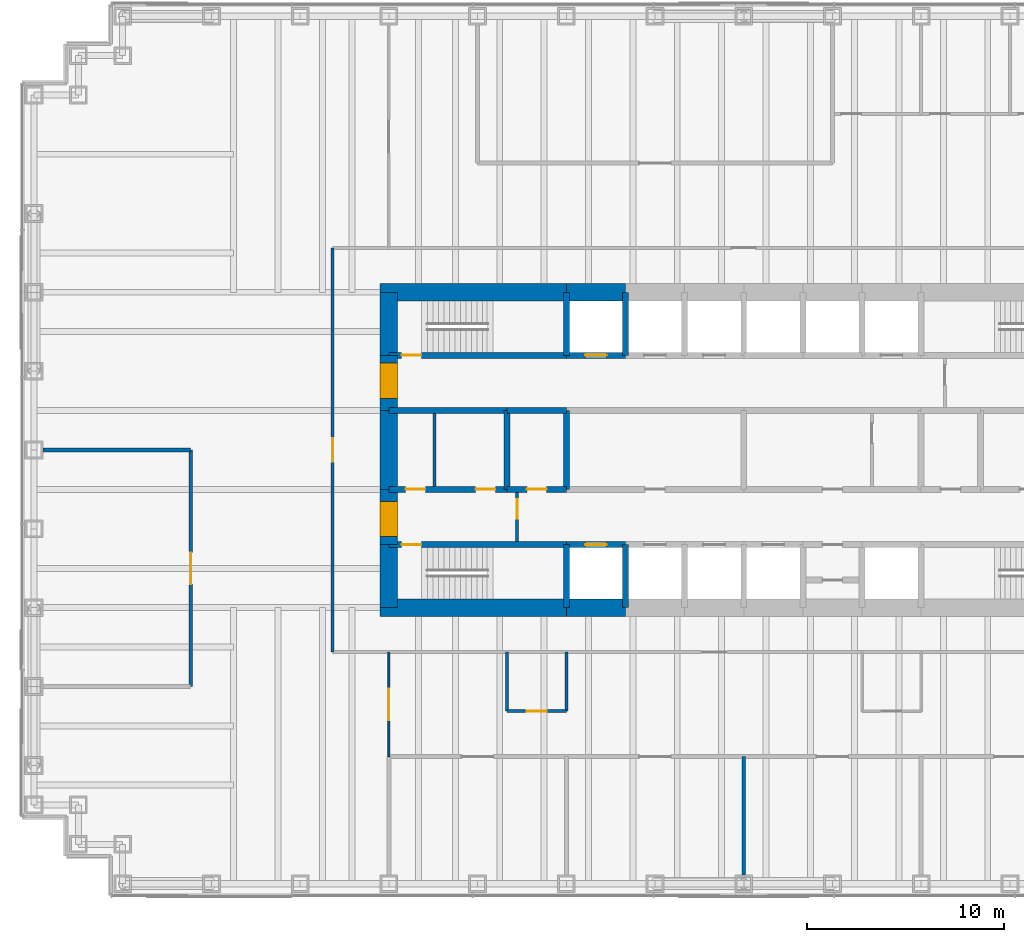
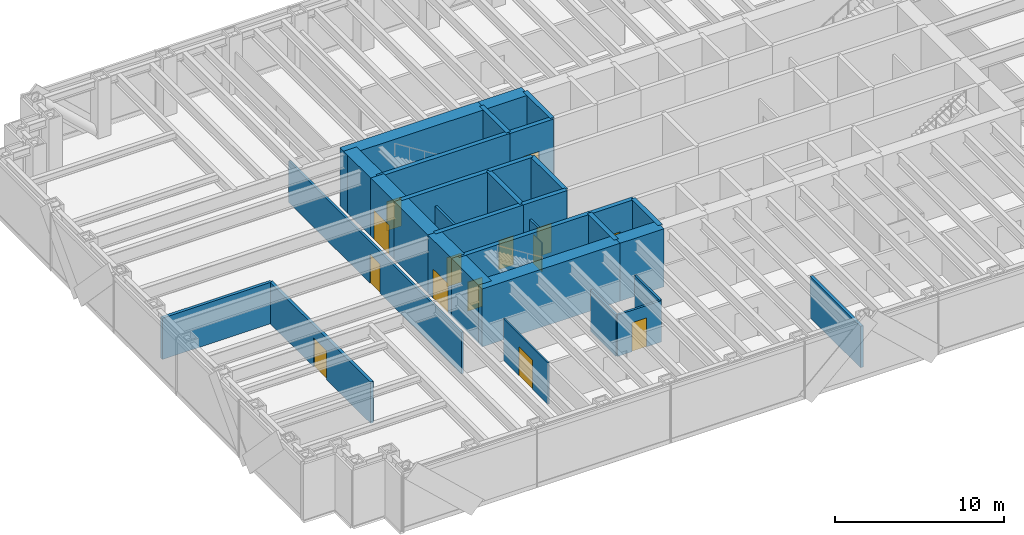
# One storey, part 11 of 15: 33 walls, 14 doors, 14 openings.
"""IFC4 building model written with IfcOpenShell, lengths in metres."""

from ifc_helpers import new_model, si_unit, direction, frame, frame_2d, origin, place, context, subcontext, project, spatial, rectangle, extrude, material, layer, layer_set, type_object, element, fill, save


model = new_model("IFC4")

# Units and contexts
model_context = context("Model", 3, precision=1e-05, world=origin(), true_north=direction((0.0, 1.0)))
body_context = subcontext(model_context, "Body", "Model", "MODEL_VIEW")
ifc_project = project(units=[si_unit("LENGTHUNIT", "METRE"), si_unit("AREAUNIT", "SQUARE_METRE"), si_unit("VOLUMEUNIT", "CUBIC_METRE"), si_unit("PLANEANGLEUNIT", "RADIAN"), si_unit("MASSUNIT", "GRAM", prefix="KILO")], contexts=[model_context])

# Site, building, storey
site_placement = place(None, origin())
site = spatial("IfcSite", under=ifc_project, at=site_placement, CompositionType="ELEMENT")
building_placement = place(site_placement, origin())
building = spatial("IfcBuilding", under=site, at=building_placement, Name="Rheinbord Bourse Tower", CompositionType="ELEMENT")
storey_placement = place(building_placement, frame((0.0, 0.0, 150.89990234375)))
storey = spatial("IfcBuildingStorey", under=building, at=storey_placement, Name="L33", CompositionType="ELEMENT", Elevation=150.89990234375)

# Wall
ifc_material_1 = material(Name="Acoustic gypsum board partition", Category="gypsum board")
ifc_layer_1 = layer(ifc_material_1, 0.199951171875)
ifc_layer_set_1 = layer_set([ifc_layer_1], Name="ACOUSTIC PARTITION 200")
wall_type_1 = type_object("IfcWallType", Name="ACOUSTIC PARTITION 200", PredefinedType="PARTITIONING", material=ifc_layer_set_1)
wall_1_placement = place(storey_placement, frame((0.449951171875, 24.0, 0.0), z_axis=(0.0, 0.0, 1.0), x_axis=(1.0, 0.0, 0.0)))
element("IfcWall", 1, at=wall_1_placement, inside=storey, type_object=wall_type_1, Name="Partition L33-07", PredefinedType="PARTITIONING", context=body_context, shape_type="SweptSolid", body=[
    extrude(rectangle(XDim=7.5, YDim=0.199951171875, at=frame_2d((3.75, 0.0))), origin(), (0.0, 0.0, 1.0), 3.0),
])

# Wall, opening, door
wall_2_placement = place(storey_placement, frame((7.949951171875, 12.0, 0.0), z_axis=(0.0, 0.0, 1.0), x_axis=(0.0, 1.0, 0.0)))
wall_2 = element("IfcWall", 2, at=wall_2_placement, inside=storey, type_object=wall_type_1, Name="Partition L33-14", PredefinedType="PARTITIONING", context=body_context, shape_type="SweptSolid", body=[
    extrude(rectangle(XDim=12.0, YDim=0.199951171875, at=frame_2d((6.0, 0.0))), origin(), (0.0, 0.0, 1.0), 3.0),
])
opening_1_placement = place(wall_2_placement, frame((5.199951171875, 0.0, 0.0)))
opening_1 = element("IfcOpeningElement", 3, at=opening_1_placement, cuts=wall_2, Name="Opening 33D07", PredefinedType="OPENING", context=body_context, shape_type="SweptSolid", body=[
    extrude(rectangle(XDim=1.60009765625, YDim=2.10009765625, at=frame_2d((0.800048828125, 1.050048828125))), frame((0.0, 0.10986328125, 0.0), z_axis=(0.0, -1.0, 0.0), x_axis=(1.0, 0.0, 0.0)), (0.0, 0.0, 1.0), 0.219970703125),
])
ifc_material_2 = material(Name="Timber door", Category="wood")
door_type_1 = type_object("IfcDoorType", Name="DOUBLE ROOM DOOR 1600", OperationType="DOUBLE_DOOR_DOUBLE_SWING", PredefinedType="DOOR", material=ifc_material_2)
door_1_placement = place(opening_1_placement, origin())
door_1 = element("IfcDoor", 4, at=door_1_placement, inside=storey, type_object=door_type_1, Name="Seminar room door L33", OperationType="SINGLE_SWING_LEFT", OverallHeight=2.10009765625, OverallWidth=1.60009765625, PredefinedType="DOOR", context=body_context, shape_type="SweptSolid", body=[
    extrude(rectangle(XDim=1.60009765625, YDim=2.10009765625, at=frame_2d((0.800048828125, 1.050048828125))), frame((0.0, 0.02490234375, 0.0), z_axis=(0.0, -1.0, 0.0), x_axis=(1.0, 0.0, 0.0)), (0.0, 0.0, 1.0), 0.050048828125),
])
fill(opening_1, door_1)

# Wall
wall_3_placement = place(storey_placement, frame((36.0, 2.449951171875, 0.0), z_axis=(0.0, 0.0, 1.0), x_axis=(0.0, 1.0, 0.0)))
element("IfcWall", 5, at=wall_3_placement, inside=storey, type_object=wall_type_1, Name="Partition L33-23", PredefinedType="PARTITIONING", context=body_context, shape_type="SweptSolid", body=[
    extrude(rectangle(XDim=6.0, YDim=0.199951171875, at=frame_2d((3.0, 0.0))), origin(), (0.0, 0.0, 1.0), 3.0),
])

# Wall, opening, door
ifc_material_3 = material(Name="Concrete C50/60", Category="concrete")
ifc_layer_2 = layer(ifc_material_3, 0.300048828125)
ifc_layer_set_2 = layer_set([ifc_layer_2], Name="CORE INNER WALL 300")
wall_type_2 = type_object("IfcWallType", Name="CORE INNER WALL 300", PredefinedType="SOLIDWALL", material=ifc_layer_set_2)
wall_4_placement = place(storey_placement, frame((18.0, 19.199951171875, 0.0), z_axis=(0.0, 0.0, 1.0), x_axis=(1.0, 0.0, 0.0)))
wall_4 = element("IfcWall", 6, at=wall_4_placement, inside=storey, type_object=wall_type_2, Name="Core wall A1 L33", PredefinedType="SOLIDWALL", context=body_context, shape_type="SweptSolid", body=[
    extrude(rectangle(XDim=9.0, YDim=0.300048828125, at=frame_2d((4.5, 0.0))), origin(), (0.0, 0.0, 1.0), 4.2001953125),
])
opening_2_placement = place(wall_4_placement, frame((0.64990234375, 0.0, 0.0)))
opening_2 = element("IfcOpeningElement", 7, at=opening_2_placement, cuts=wall_4, Name="Opening 3310", PredefinedType="OPENING", context=body_context, shape_type="SweptSolid", body=[
    extrude(rectangle(XDim=1.0, YDim=2.10009765625, at=frame_2d((0.5, 1.050048828125))), frame((0.0, 0.159912109375, 0.0), z_axis=(0.0, -1.0, 0.0), x_axis=(1.0, 0.0, 0.0)), (0.0, 0.0, 1.0), 0.320068359375),
])
ifc_material_4 = material(Name="Steel door", Category="steel")
door_type_2 = type_object("IfcDoorType", Name="DOOR 1000 EI30", OperationType="SINGLE_SWING_LEFT", PredefinedType="DOOR", material=ifc_material_4)
door_2_placement = place(opening_2_placement, origin())
door_2 = element("IfcDoor", 8, at=door_2_placement, inside=storey, type_object=door_type_2, Name="Stair door ST1 L33", OperationType="SINGLE_SWING_LEFT", OverallHeight=2.10009765625, OverallWidth=1.0, PredefinedType="DOOR", context=body_context, shape_type="SweptSolid", body=[
    extrude(rectangle(XDim=1.0, YDim=2.10009765625, at=frame_2d((0.5, 1.050048828125))), frame((0.0, 0.02490234375, 0.0), z_axis=(0.0, -1.0, 0.0), x_axis=(1.0, 0.0, 0.0)), (0.0, 0.0, 1.0), 0.050048828125),
])
fill(opening_2, door_2)

wall_5_placement = place(storey_placement, frame((27.0, 19.199951171875, 0.0), z_axis=(0.0, 0.0, 1.0), x_axis=(1.0, 0.0, 0.0)))
wall_5 = element("IfcWall", 9, at=wall_5_placement, inside=storey, type_object=wall_type_2, Name="Core wall A2 L33", PredefinedType="SOLIDWALL", context=body_context, shape_type="SweptSolid", body=[
    extrude(rectangle(XDim=3.0, YDim=0.300048828125, at=frame_2d((1.5, 0.0))), origin(), (0.0, 0.0, 1.0), 4.2001953125),
])
opening_3_placement = place(wall_5_placement, frame((0.949951171875, 0.0, 0.0)))
opening_3 = element("IfcOpeningElement", 10, at=opening_3_placement, cuts=wall_5, Name="Opening FL1", PredefinedType="OPENING", context=body_context, shape_type="SweptSolid", body=[
    extrude(rectangle(XDim=1.10009765625, YDim=2.199951171875, at=frame_2d((0.550048828125, 1.10009765625))), frame((0.0, 0.159912109375, 0.0), z_axis=(0.0, -1.0, 0.0), x_axis=(1.0, 0.0, 0.0)), (0.0, 0.0, 1.0), 0.320068359375),
])
ifc_material_5 = material(Name="Steel landing door", Category="steel")
door_type_3 = type_object("IfcDoorType", Name="LIFT LANDING DOOR 1100", OperationType="DOUBLE_DOOR_SLIDING", PredefinedType="USERDEFINED", material=ifc_material_5)
door_3_placement = place(opening_3_placement, origin())
door_3 = element("IfcDoor", 11, at=door_3_placement, inside=storey, type_object=door_type_3, Name="Lift landing door FL1 L33", ObjectType="LIFT LANDING DOOR", OperationType="DOUBLE_DOOR_SLIDING", OverallHeight=2.199951171875, OverallWidth=1.10009765625, PredefinedType="USERDEFINED", context=body_context, shape_type="SweptSolid", body=[
    extrude(rectangle(XDim=1.10009765625, YDim=2.199951171875, at=frame_2d((0.550048828125, 1.10009765625))), frame((0.0, 0.02490234375, 0.0), z_axis=(0.0, -1.0, 0.0), x_axis=(1.0, 0.0, 0.0)), (0.0, 0.0, 1.0), 0.050048828125),
])
fill(opening_3, door_3)

wall_6_placement = place(storey_placement, frame((18.0, 28.800048828125, 0.0), z_axis=(0.0, 0.0, 1.0), x_axis=(1.0, 0.0, 0.0)))
wall_6 = element("IfcWall", 12, at=wall_6_placement, inside=storey, type_object=wall_type_2, Name="Core wall B1 L33", PredefinedType="SOLIDWALL", context=body_context, shape_type="SweptSolid", body=[
    extrude(rectangle(XDim=9.0, YDim=0.300048828125, at=frame_2d((4.5, 0.0))), origin(), (0.0, 0.0, 1.0), 4.2001953125),
])
opening_4_placement = place(wall_6_placement, frame((0.64990234375, 0.0, 0.0)))
opening_4 = element("IfcOpeningElement", 13, at=opening_4_placement, cuts=wall_6, Name="Opening 3320", PredefinedType="OPENING", context=body_context, shape_type="SweptSolid", body=[
    extrude(rectangle(XDim=1.0, YDim=2.10009765625, at=frame_2d((0.5, 1.050048828125))), frame((0.0, 0.159912109375, 0.0), z_axis=(0.0, -1.0, 0.0), x_axis=(1.0, 0.0, 0.0)), (0.0, 0.0, 1.0), 0.320068359375),
])
door_4_placement = place(opening_4_placement, origin())
door_4 = element("IfcDoor", 14, at=door_4_placement, inside=storey, type_object=door_type_2, Name="Stair door ST2 L33", OperationType="SINGLE_SWING_LEFT", OverallHeight=2.10009765625, OverallWidth=1.0, PredefinedType="DOOR", context=body_context, shape_type="SweptSolid", body=[
    extrude(rectangle(XDim=1.0, YDim=2.10009765625, at=frame_2d((0.5, 1.050048828125))), frame((0.0, 0.02490234375, 0.0), z_axis=(0.0, -1.0, 0.0), x_axis=(1.0, 0.0, 0.0)), (0.0, 0.0, 1.0), 0.050048828125),
])
fill(opening_4, door_4)

wall_7_placement = place(storey_placement, frame((27.0, 28.800048828125, 0.0), z_axis=(0.0, 0.0, 1.0), x_axis=(1.0, 0.0, 0.0)))
wall_7 = element("IfcWall", 15, at=wall_7_placement, inside=storey, type_object=wall_type_2, Name="Core wall B2 L33", PredefinedType="SOLIDWALL", context=body_context, shape_type="SweptSolid", body=[
    extrude(rectangle(XDim=3.0, YDim=0.300048828125, at=frame_2d((1.5, 0.0))), origin(), (0.0, 0.0, 1.0), 4.2001953125),
])
opening_5_placement = place(wall_7_placement, frame((0.949951171875, 0.0, 0.0)))
opening_5 = element("IfcOpeningElement", 16, at=opening_5_placement, cuts=wall_7, Name="Opening GL1", PredefinedType="OPENING", context=body_context, shape_type="SweptSolid", body=[
    extrude(rectangle(XDim=1.10009765625, YDim=2.199951171875, at=frame_2d((0.550048828125, 1.10009765625))), frame((0.0, 0.159912109375, 0.0), z_axis=(0.0, -1.0, 0.0), x_axis=(1.0, 0.0, 0.0)), (0.0, 0.0, 1.0), 0.320068359375),
])
door_5_placement = place(opening_5_placement, origin())
door_5 = element("IfcDoor", 17, at=door_5_placement, inside=storey, type_object=door_type_3, Name="Lift landing door GL1 L33", ObjectType="LIFT LANDING DOOR", OperationType="DOUBLE_DOOR_SLIDING", OverallHeight=2.199951171875, OverallWidth=1.10009765625, PredefinedType="USERDEFINED", context=body_context, shape_type="SweptSolid", body=[
    extrude(rectangle(XDim=1.10009765625, YDim=2.199951171875, at=frame_2d((0.550048828125, 1.10009765625))), frame((0.0, 0.02490234375, 0.0), z_axis=(0.0, -1.0, 0.0), x_axis=(1.0, 0.0, 0.0)), (0.0, 0.0, 1.0), 0.050048828125),
])
fill(opening_5, door_5)

# Wall, openings, doors
wall_8_placement = place(storey_placement, frame((18.0, 22.0, 0.0), z_axis=(0.0, 0.0, 1.0), x_axis=(1.0, 0.0, 0.0)))
wall_8 = element("IfcWall", 18, at=wall_8_placement, inside=storey, type_object=wall_type_2, Name="Core wall C1 L33", PredefinedType="SOLIDWALL", context=body_context, shape_type="SweptSolid", body=[
    extrude(rectangle(XDim=6.0, YDim=0.300048828125, at=frame_2d((3.0, 0.0))), origin(), (0.0, 0.0, 1.0), 4.2001953125),
])
opening_6_placement = place(wall_8_placement, frame((4.39990234375, 0.0, 0.0)))
opening_6 = element("IfcOpeningElement", 19, at=opening_6_placement, cuts=wall_8, Name="Opening 33R1", PredefinedType="OPENING", context=body_context, shape_type="SweptSolid", body=[
    extrude(rectangle(XDim=1.0, YDim=2.10009765625, at=frame_2d((0.5, 1.050048828125))), frame((0.0, 0.159912109375, 0.0), z_axis=(0.0, -1.0, 0.0), x_axis=(1.0, 0.0, 0.0)), (0.0, 0.0, 1.0), 0.320068359375),
])
opening_7_placement = place(wall_8_placement, frame((0.85009765625, 0.0, 0.0)))
opening_7 = element("IfcOpeningElement", 20, at=opening_7_placement, cuts=wall_8, Name="Opening 33R9", PredefinedType="OPENING", context=body_context, shape_type="SweptSolid", body=[
    extrude(rectangle(XDim=1.0, YDim=2.10009765625, at=frame_2d((0.5, 1.050048828125))), frame((0.0, 0.159912109375, 0.0), z_axis=(0.0, -1.0, 0.0), x_axis=(1.0, 0.0, 0.0)), (0.0, 0.0, 1.0), 0.320068359375),
])
door_6_placement = place(opening_7_placement, origin())
door_6 = element("IfcDoor", 21, at=door_6_placement, inside=storey, type_object=door_type_2, Name="Staff shower door L33", OperationType="SINGLE_SWING_LEFT", OverallHeight=2.10009765625, OverallWidth=1.0, PredefinedType="DOOR", context=body_context, shape_type="SweptSolid", body=[
    extrude(rectangle(XDim=1.0, YDim=2.10009765625, at=frame_2d((0.5, 1.050048828125))), frame((0.0, 0.02490234375, 0.0), z_axis=(0.0, -1.0, 0.0), x_axis=(1.0, 0.0, 0.0)), (0.0, 0.0, 1.0), 0.050048828125),
])
fill(opening_7, door_6)
ifc_material_6 = material(Name="Timber door", Category="wood")
door_type_4 = type_object("IfcDoorType", Name="DOOR 1000 WC", OperationType="SINGLE_SWING_LEFT", PredefinedType="DOOR", material=ifc_material_6)
door_7_placement = place(opening_6_placement, origin())
door_7 = element("IfcDoor", 22, at=door_7_placement, inside=storey, type_object=door_type_4, Name="WC men door L33", OperationType="SINGLE_SWING_RIGHT", OverallHeight=2.10009765625, OverallWidth=1.0, PredefinedType="DOOR", context=body_context, shape_type="SweptSolid", body=[
    extrude(rectangle(XDim=1.0, YDim=2.10009765625, at=frame_2d((0.5, 1.050048828125))), frame((0.0, 0.02490234375, 0.0), z_axis=(0.0, -1.0, 0.0), x_axis=(1.0, 0.0, 0.0)), (0.0, 0.0, 1.0), 0.050048828125),
])
fill(opening_6, door_7)

# Wall, opening, door
wall_9_placement = place(storey_placement, frame((24.0, 22.0, 0.0), z_axis=(0.0, 0.0, 1.0), x_axis=(1.0, 0.0, 0.0)))
wall_9 = element("IfcWall", 23, at=wall_9_placement, inside=storey, type_object=wall_type_2, Name="Core wall C2 L33", PredefinedType="SOLIDWALL", context=body_context, shape_type="SweptSolid", body=[
    extrude(rectangle(XDim=3.0, YDim=0.300048828125, at=frame_2d((1.5, 0.0))), origin(), (0.0, 0.0, 1.0), 4.2001953125),
])
opening_8_placement = place(wall_9_placement, frame((1.0, 0.0, 0.0)))
opening_8 = element("IfcOpeningElement", 24, at=opening_8_placement, cuts=wall_9, Name="Opening 33R2", PredefinedType="OPENING", context=body_context, shape_type="SweptSolid", body=[
    extrude(rectangle(XDim=1.0, YDim=2.10009765625, at=frame_2d((0.5, 1.050048828125))), frame((0.0, 0.159912109375, 0.0), z_axis=(0.0, -1.0, 0.0), x_axis=(1.0, 0.0, 0.0)), (0.0, 0.0, 1.0), 0.320068359375),
])
door_8_placement = place(opening_8_placement, origin())
door_8 = element("IfcDoor", 25, at=door_8_placement, inside=storey, type_object=door_type_4, Name="Accessible WC door L33", OperationType="SINGLE_SWING_LEFT", OverallHeight=2.10009765625, OverallWidth=1.0, PredefinedType="DOOR", context=body_context, shape_type="SweptSolid", body=[
    extrude(rectangle(XDim=1.0, YDim=2.10009765625, at=frame_2d((0.5, 1.050048828125))), frame((0.0, 0.02490234375, 0.0), z_axis=(0.0, -1.0, 0.0), x_axis=(1.0, 0.0, 0.0)), (0.0, 0.0, 1.0), 0.050048828125),
])
fill(opening_8, door_8)

# Walls
wall_10_placement = place(storey_placement, frame((18.0, 26.0, 0.0), z_axis=(0.0, 0.0, 1.0), x_axis=(1.0, 0.0, 0.0)))
element("IfcWall", 26, at=wall_10_placement, inside=storey, type_object=wall_type_2, Name="Core wall D1 L33", PredefinedType="SOLIDWALL", context=body_context, shape_type="SweptSolid", body=[
    extrude(rectangle(XDim=6.0, YDim=0.300048828125, at=frame_2d((3.0, 0.0))), origin(), (0.0, 0.0, 1.0), 4.2001953125),
])
wall_11_placement = place(storey_placement, frame((24.0, 26.0, 0.0), z_axis=(0.0, 0.0, 1.0), x_axis=(1.0, 0.0, 0.0)))
element("IfcWall", 27, at=wall_11_placement, inside=storey, type_object=wall_type_2, Name="Core wall D2 L33", PredefinedType="SOLIDWALL", context=body_context, shape_type="SweptSolid", body=[
    extrude(rectangle(XDim=3.0, YDim=0.300048828125, at=frame_2d((1.5, 0.0))), origin(), (0.0, 0.0, 1.0), 4.2001953125),
])
for number, where, z_axis, x_axis, name in (
    (28, (27.0, 16.0, 0.0), (0.0, 0.0, 1.0), (0.0, 1.0, 0.0), "Core wall SX27 L33"),
    (29, (27.0, 28.800048828125, 0.0), (0.0, 0.0, 1.0), (0.0, 1.0, 0.0), "Core wall NX27 L33"),
    (30, (30.0, 16.0, 0.0), (0.0, 0.0, 1.0), (0.0, 1.0, 0.0), "Core wall SX30 L33"),
    (31, (30.0, 28.800048828125, 0.0), (0.0, 0.0, 1.0), (0.0, 1.0, 0.0), "Core wall NX30 L33"),
):
    element("IfcWall", number, at=place(storey_placement, frame(where, z_axis=z_axis, x_axis=x_axis)), inside=storey, type_object=wall_type_2, Name=name, PredefinedType="SOLIDWALL", context=body_context, shape_type="SweptSolid", body=[
        extrude(rectangle(XDim=3.199951171875, YDim=0.300048828125, at=frame_2d((1.60009765625, 0.0))), origin(), (0.0, 0.0, 1.0), 4.2001953125),
    ])
for number, where, z_axis, x_axis, name in (
    (32, (24.0, 22.0, 0.0), (0.0, 0.0, 1.0), (0.0, 1.0, 0.0), "Core wall MX24 L33"),
    (33, (27.0, 22.0, 0.0), (0.0, 0.0, 1.0), (0.0, 1.0, 0.0), "Core wall MX27 L33"),
):
    element("IfcWall", number, at=place(storey_placement, frame(where, z_axis=z_axis, x_axis=x_axis)), inside=storey, type_object=wall_type_2, Name=name, PredefinedType="SOLIDWALL", context=body_context, shape_type="SweptSolid", body=[
        extrude(rectangle(XDim=4.0, YDim=0.300048828125, at=frame_2d((2.0, 0.0))), origin(), (0.0, 0.0, 1.0), 4.2001953125),
    ])
ifc_material_7 = material(Name="Gypsum board fire partition", Category="gypsum board")
ifc_layer_3 = layer(ifc_material_7, 0.14990234375)
ifc_layer_set_3 = layer_set([ifc_layer_3], Name="CORE PARTITION 150 EI30")
wall_type_3 = type_object("IfcWallType", Name="CORE PARTITION 150 EI30", PredefinedType="PARTITIONING", material=ifc_layer_set_3)
wall_12_placement = place(storey_placement, frame((20.324951171875, 22.14990234375, 0.0), z_axis=(0.0, 0.0, 1.0), x_axis=(0.0, 1.0, 0.0)))
element("IfcWall", 34, at=wall_12_placement, inside=storey, type_object=wall_type_3, Name="Core partition L33-2", PredefinedType="PARTITIONING", context=body_context, shape_type="SweptSolid", body=[
    extrude(rectangle(XDim=3.7001953125, YDim=0.14990234375, at=frame_2d((1.85009765625, 0.0))), origin(), (0.0, 0.0, 1.0), 3.0),
])

# Wall, opening, door
wall_13_placement = place(storey_placement, frame((24.5, 19.35009765625, 0.0), z_axis=(0.0, 0.0, 1.0), x_axis=(0.0, 1.0, 0.0)))
wall_13 = element("IfcWall", 35, at=wall_13_placement, inside=storey, type_object=wall_type_3, Name="Core partition L33-4", PredefinedType="PARTITIONING", context=body_context, shape_type="SweptSolid", body=[
    extrude(rectangle(XDim=2.5, YDim=0.14990234375, at=frame_2d((1.25, 0.0))), origin(), (0.0, 0.0, 1.0), 3.0),
])
opening_9_placement = place(wall_13_placement, frame((1.14990234375, 0.0, 0.0)))
opening_9 = element("IfcOpeningElement", 36, at=opening_9_placement, cuts=wall_13, Name="Opening 33L5", PredefinedType="OPENING", context=body_context, shape_type="SweptSolid", body=[
    extrude(rectangle(XDim=1.0, YDim=2.10009765625, at=frame_2d((0.5, 1.050048828125))), frame((0.0, 0.0849609375, 0.0), z_axis=(0.0, -1.0, 0.0), x_axis=(1.0, 0.0, 0.0)), (0.0, 0.0, 1.0), 0.169921875),
])
door_9_placement = place(opening_9_placement, origin())
door_9 = element("IfcDoor", 37, at=door_9_placement, inside=storey, type_object=door_type_2, Name="Stair lobby door L33", OperationType="SINGLE_SWING_RIGHT", OverallHeight=2.10009765625, OverallWidth=1.0, PredefinedType="DOOR", context=body_context, shape_type="SweptSolid", body=[
    extrude(rectangle(XDim=1.0, YDim=2.10009765625, at=frame_2d((0.5, 1.050048828125))), frame((0.0, 0.02490234375, 0.0), z_axis=(0.0, -1.0, 0.0), x_axis=(1.0, 0.0, 0.0)), (0.0, 0.0, 1.0), 0.050048828125),
])
fill(opening_9, door_9)

# Walls
ifc_material_8 = material(Name="Concrete C50/60", Category="concrete")
ifc_layer_4 = layer(ifc_material_8, 0.89990234375)
ifc_layer_set_4 = layer_set([ifc_layer_4], Name="CORE WALL 900")
wall_type_4 = type_object("IfcWallType", Name="CORE WALL 900", PredefinedType="SHEAR", material=ifc_layer_set_4)
wall_14_placement = place(storey_placement, frame((17.550048828125, 16.0, 0.0), z_axis=(0.0, 0.0, 1.0), x_axis=(1.0, 0.0, 0.0)))
element("IfcWall", 38, at=wall_14_placement, inside=storey, type_object=wall_type_4, Name="Core wall S1 L33", PredefinedType="SHEAR", context=body_context, shape_type="SweptSolid", body=[
    extrude(rectangle(XDim=9.449951171875, YDim=0.89990234375, at=frame_2d((4.72509765625, 0.0))), origin(), (0.0, 0.0, 1.0), 4.2001953125),
])
for number, where, z_axis, x_axis, name in (
    (39, (27.0, 16.0, 0.0), (0.0, 0.0, 1.0), (1.0, 0.0, 0.0), "Core wall S2 L33"),
    (40, (30.0, 32.0, 0.0), (0.0, 0.0, 1.0), (-1.0, 0.0, 0.0), "Core wall N7 L33"),
):
    element("IfcWall", number, at=place(storey_placement, frame(where, z_axis=z_axis, x_axis=x_axis)), inside=storey, type_object=wall_type_4, Name=name, PredefinedType="SHEAR", context=body_context, shape_type="SweptSolid", body=[
        extrude(rectangle(XDim=3.0, YDim=0.89990234375, at=frame_2d((1.5, 0.0))), origin(), (0.0, 0.0, 1.0), 4.2001953125),
    ])
wall_15_placement = place(storey_placement, frame((27.0, 32.0, 0.0), z_axis=(0.0, 0.0, 1.0), x_axis=(-1.0, 0.0, 0.0)))
element("IfcWall", 41, at=wall_15_placement, inside=storey, type_object=wall_type_4, Name="Core wall N8 L33", PredefinedType="SHEAR", context=body_context, shape_type="SweptSolid", body=[
    extrude(rectangle(XDim=9.449951171875, YDim=0.89990234375, at=frame_2d((4.72509765625, 0.0))), origin(), (0.0, 0.0, 1.0), 4.2001953125),
])
wall_16_placement = place(storey_placement, frame((18.0, 32.0, 0.0), z_axis=(0.0, 0.0, 1.0), x_axis=(0.0, -1.0, 0.0)))
element("IfcWall", 42, at=wall_16_placement, inside=storey, type_object=wall_type_4, Name="Core wall W1 L33", PredefinedType="SHEAR", context=body_context, shape_type="SweptSolid", body=[
    extrude(rectangle(XDim=3.199951171875, YDim=0.89990234375, at=frame_2d((1.60009765625, 0.0))), origin(), (0.0, 0.0, 1.0), 4.2001953125),
])

# Wall, opening, door
wall_17_placement = place(storey_placement, frame((18.0, 28.800048828125, 0.0), z_axis=(0.0, 0.0, 1.0), x_axis=(0.0, -1.0, 0.0)))
wall_17 = element("IfcWall", 43, at=wall_17_placement, inside=storey, type_object=wall_type_4, Name="Core wall W2 L33", PredefinedType="SHEAR", context=body_context, shape_type="SweptSolid", body=[
    extrude(rectangle(XDim=2.800048828125, YDim=0.89990234375, at=frame_2d((1.39990234375, 0.0))), origin(), (0.0, 0.0, 1.0), 4.2001953125),
])
opening_10_placement = place(wall_17_placement, frame((0.39990234375, 0.0, 0.0)))
opening_10 = element("IfcOpeningElement", 44, at=opening_10_placement, cuts=wall_17, Name="Opening 33L2", PredefinedType="OPENING", context=body_context, shape_type="SweptSolid", body=[
    extrude(rectangle(XDim=1.800048828125, YDim=2.10009765625, at=frame_2d((0.89990234375, 1.050048828125))), frame((0.0, 0.4599609375, 0.0), z_axis=(0.0, -1.0, 0.0), x_axis=(1.0, 0.0, 0.0)), (0.0, 0.0, 1.0), 0.919921875),
])
ifc_material_9 = material(Name="Steel door", Category="steel")
door_type_5 = type_object("IfcDoorType", Name="DOOR 1800 EI30 DOUBLE", OperationType="DOUBLE_DOOR_DOUBLE_SWING", PredefinedType="DOOR", material=ifc_material_9)
door_10_placement = place(opening_10_placement, origin())
door_10 = element("IfcDoor", 45, at=door_10_placement, inside=storey, type_object=door_type_5, Name="Lobby door 2 L33", OperationType="SINGLE_SWING_LEFT", OverallHeight=2.10009765625, OverallWidth=1.800048828125, PredefinedType="DOOR", context=body_context, shape_type="SweptSolid", body=[
    extrude(rectangle(XDim=1.800048828125, YDim=2.10009765625, at=frame_2d((0.89990234375, 1.050048828125))), frame((0.0, 0.44970703125, 0.0), z_axis=(0.0, -1.0, 0.0), x_axis=(1.0, 0.0, 0.0)), (0.0, 0.0, 1.0), 0.8994140625),
])
fill(opening_10, door_10)

# Wall
wall_18_placement = place(storey_placement, frame((18.0, 26.0, 0.0), z_axis=(0.0, 0.0, 1.0), x_axis=(0.0, -1.0, 0.0)))
element("IfcWall", 46, at=wall_18_placement, inside=storey, type_object=wall_type_4, Name="Core wall W3 L33", PredefinedType="SHEAR", context=body_context, shape_type="SweptSolid", body=[
    extrude(rectangle(XDim=4.0, YDim=0.89990234375, at=frame_2d((2.0, 0.0))), origin(), (0.0, 0.0, 1.0), 4.2001953125),
])

# Wall, opening, door
wall_19_placement = place(storey_placement, frame((18.0, 22.0, 0.0), z_axis=(0.0, 0.0, 1.0), x_axis=(0.0, -1.0, 0.0)))
wall_19 = element("IfcWall", 47, at=wall_19_placement, inside=storey, type_object=wall_type_4, Name="Core wall W4 L33", PredefinedType="SHEAR", context=body_context, shape_type="SweptSolid", body=[
    extrude(rectangle(XDim=2.800048828125, YDim=0.89990234375, at=frame_2d((1.39990234375, 0.0))), origin(), (0.0, 0.0, 1.0), 4.2001953125),
])
opening_11_placement = place(wall_19_placement, frame((0.60009765625, 0.0, 0.0)))
opening_11 = element("IfcOpeningElement", 48, at=opening_11_placement, cuts=wall_19, Name="Opening 33L1", PredefinedType="OPENING", context=body_context, shape_type="SweptSolid", body=[
    extrude(rectangle(XDim=1.800048828125, YDim=2.10009765625, at=frame_2d((0.89990234375, 1.050048828125))), frame((0.0, 0.4599609375, 0.0), z_axis=(0.0, -1.0, 0.0), x_axis=(1.0, 0.0, 0.0)), (0.0, 0.0, 1.0), 0.919921875),
])
door_11_placement = place(opening_11_placement, origin())
door_11 = element("IfcDoor", 49, at=door_11_placement, inside=storey, type_object=door_type_5, Name="Lobby door 1 L33", OperationType="SINGLE_SWING_LEFT", OverallHeight=2.10009765625, OverallWidth=1.800048828125, PredefinedType="DOOR", context=body_context, shape_type="SweptSolid", body=[
    extrude(rectangle(XDim=1.800048828125, YDim=2.10009765625, at=frame_2d((0.89990234375, 1.050048828125))), frame((0.0, 0.44970703125, 0.0), z_axis=(0.0, -1.0, 0.0), x_axis=(1.0, 0.0, 0.0)), (0.0, 0.0, 1.0), 0.8994140625),
])
fill(opening_11, door_11)

# Wall
wall_20_placement = place(storey_placement, frame((18.0, 19.199951171875, 0.0), z_axis=(0.0, 0.0, 1.0), x_axis=(0.0, -1.0, 0.0)))
element("IfcWall", 50, at=wall_20_placement, inside=storey, type_object=wall_type_4, Name="Core wall W5 L33", PredefinedType="SHEAR", context=body_context, shape_type="SweptSolid", body=[
    extrude(rectangle(XDim=3.199951171875, YDim=0.89990234375, at=frame_2d((1.60009765625, 0.0))), origin(), (0.0, 0.0, 1.0), 4.2001953125),
])

# Wall, opening, door
ifc_material_10 = material(Name="Gypsum board corridor partition", Category="gypsum board")
ifc_layer_5 = layer(ifc_material_10, 0.14990234375)
ifc_layer_set_5 = layer_set([ifc_layer_5], Name="CORRIDOR PARTITION 150 EI30")
wall_type_5 = type_object("IfcWallType", Name="CORRIDOR PARTITION 150 EI30", PredefinedType="PARTITIONING", material=ifc_layer_set_5)
wall_21_placement = place(storey_placement, frame((15.14990234375, 13.75, 0.0), z_axis=(0.0, 0.0, 1.0), x_axis=(0.0, 1.0, 0.0)))
wall_21 = element("IfcWall", 51, at=wall_21_placement, inside=storey, type_object=wall_type_5, Name="Partition L33-15", PredefinedType="PARTITIONING", context=body_context, shape_type="SweptSolid", body=[
    extrude(rectangle(XDim=20.5, YDim=0.14990234375, at=frame_2d((10.25, 0.0))), origin(), (0.0, 0.0, 1.0), 3.0),
])
opening_12_placement = place(wall_21_placement, frame((9.64990234375, 0.0, 0.0)))
opening_12 = element("IfcOpeningElement", 52, at=opening_12_placement, cuts=wall_21, Name="Opening 33D18", PredefinedType="OPENING", context=body_context, shape_type="SweptSolid", body=[
    extrude(rectangle(XDim=1.199951171875, YDim=2.10009765625, at=frame_2d((0.60009765625, 1.050048828125))), frame((0.0, 0.0849609375, 0.0), z_axis=(0.0, -1.0, 0.0), x_axis=(1.0, 0.0, 0.0)), (0.0, 0.0, 1.0), 0.169921875),
])
ifc_material_11 = material(Name="Timber fire door", Category="wood")
door_type_6 = type_object("IfcDoorType", Name="SUITE ENTRANCE DOOR 1200 EI30", OperationType="SINGLE_SWING_LEFT", PredefinedType="DOOR", material=ifc_material_11)
door_12_placement = place(opening_12_placement, origin())
door_12 = element("IfcDoor", 53, at=door_12_placement, inside=storey, type_object=door_type_6, Name="Suite entrance 1 door L33", OperationType="SINGLE_SWING_LEFT", OverallHeight=2.10009765625, OverallWidth=1.199951171875, PredefinedType="DOOR", context=body_context, shape_type="SweptSolid", body=[
    extrude(rectangle(XDim=1.199951171875, YDim=2.10009765625, at=frame_2d((0.60009765625, 1.050048828125))), frame((0.0, 0.02490234375, 0.0), z_axis=(0.0, -1.0, 0.0), x_axis=(1.0, 0.0, 0.0)), (0.0, 0.0, 1.0), 0.050048828125),
])
fill(opening_12, door_12)

ifc_material_12 = material(Name="Toughened laminated glass partition", Category="glass")
ifc_layer_6 = layer(ifc_material_12, 0.10009765625)
ifc_layer_set_6 = layer_set([ifc_layer_6], Name="GLAZED PARTITION 100")
wall_type_6 = type_object("IfcWallType", Name="GLAZED PARTITION 100", PredefinedType="PARTITIONING", material=ifc_layer_set_6)
wall_22_placement = place(storey_placement, frame((18.0, 8.449951171875, 0.0), z_axis=(0.0, 0.0, 1.0), x_axis=(0.0, 1.0, 0.0)))
wall_22 = element("IfcWall", 54, at=wall_22_placement, inside=storey, type_object=wall_type_6, Name="Partition L33-17", PredefinedType="PARTITIONING", context=body_context, shape_type="SweptSolid", body=[
    extrude(rectangle(XDim=5.300048828125, YDim=0.10009765625, at=frame_2d((2.64990234375, 0.0))), origin(), (0.0, 0.0, 1.0), 3.0),
])
opening_13_placement = place(wall_22_placement, frame((1.85009765625, 0.0, 0.0)))
opening_13 = element("IfcOpeningElement", 55, at=opening_13_placement, cuts=wall_22, Name="Opening 33D14", PredefinedType="OPENING", context=body_context, shape_type="SweptSolid", body=[
    extrude(rectangle(XDim=1.60009765625, YDim=2.10009765625, at=frame_2d((0.800048828125, 1.050048828125))), frame((0.0, 0.06005859375, 0.0), z_axis=(0.0, -1.0, 0.0), x_axis=(1.0, 0.0, 0.0)), (0.0, 0.0, 1.0), 0.1201171875),
])
door_13_placement = place(opening_13_placement, origin())
door_13 = element("IfcDoor", 56, at=door_13_placement, inside=storey, type_object=door_type_1, Name="Open area door L33", OperationType="SINGLE_SWING_LEFT", OverallHeight=2.10009765625, OverallWidth=1.60009765625, PredefinedType="DOOR", context=body_context, shape_type="SweptSolid", body=[
    extrude(rectangle(XDim=1.60009765625, YDim=2.10009765625, at=frame_2d((0.800048828125, 1.050048828125))), frame((0.0, 0.02490234375, 0.0), z_axis=(0.0, -1.0, 0.0), x_axis=(1.0, 0.0, 0.0)), (0.0, 0.0, 1.0), 0.050048828125),
])
fill(opening_13, door_13)

ifc_material_13 = material(Name="Gypsum board partition", Category="gypsum board")
ifc_layer_7 = layer(ifc_material_13, 0.14990234375)
ifc_layer_set_7 = layer_set([ifc_layer_7], Name="PARTITION 150")
wall_type_7 = type_object("IfcWallType", Name="PARTITION 150", PredefinedType="PARTITIONING", material=ifc_layer_set_7)
wall_23_placement = place(storey_placement, frame((24.0, 10.75, 0.0), z_axis=(0.0, 0.0, 1.0), x_axis=(1.0, 0.0, 0.0)))
wall_23 = element("IfcWall", 57, at=wall_23_placement, inside=storey, type_object=wall_type_7, Name="Partition L33-02", PredefinedType="PARTITIONING", context=body_context, shape_type="SweptSolid", body=[
    extrude(rectangle(XDim=3.0, YDim=0.14990234375, at=frame_2d((1.5, 0.0))), origin(), (0.0, 0.0, 1.0), 3.0),
])
opening_14_placement = place(wall_23_placement, frame((1.0, 0.0, 0.0)))
opening_14 = element("IfcOpeningElement", 58, at=opening_14_placement, cuts=wall_23, Name="Opening 33D05", PredefinedType="OPENING", context=body_context, shape_type="SweptSolid", body=[
    extrude(rectangle(XDim=1.0, YDim=2.10009765625, at=frame_2d((0.5, 1.050048828125))), frame((0.0, 0.0849609375, 0.0), z_axis=(0.0, -1.0, 0.0), x_axis=(1.0, 0.0, 0.0)), (0.0, 0.0, 1.0), 0.169921875),
])
ifc_material_14 = material(Name="Timber door", Category="wood")
door_type_7 = type_object("IfcDoorType", Name="ROOM DOOR 1000", OperationType="SINGLE_SWING_LEFT", PredefinedType="DOOR", material=ifc_material_14)
door_14_placement = place(opening_14_placement, origin())
door_14 = element("IfcDoor", 59, at=door_14_placement, inside=storey, type_object=door_type_7, Name="Print room door L33", OperationType="SINGLE_SWING_LEFT", OverallHeight=2.10009765625, OverallWidth=1.0, PredefinedType="DOOR", context=body_context, shape_type="SweptSolid", body=[
    extrude(rectangle(XDim=1.0, YDim=2.10009765625, at=frame_2d((0.5, 1.050048828125))), frame((0.0, 0.02490234375, 0.0), z_axis=(0.0, -1.0, 0.0), x_axis=(1.0, 0.0, 0.0)), (0.0, 0.0, 1.0), 0.050048828125),
])
fill(opening_14, door_14)

# Walls
for number, where, z_axis, x_axis, name in (
    (60, (24.0, 10.75, 0.0), (0.0, 0.0, 1.0), (0.0, 1.0, 0.0), "Partition L33-20"),
    (61, (27.0, 10.75, 0.0), (0.0, 0.0, 1.0), (0.0, 1.0, 0.0), "Partition L33-22"),
):
    element("IfcWall", number, at=place(storey_placement, frame(where, z_axis=z_axis, x_axis=x_axis)), inside=storey, type_object=wall_type_7, Name=name, PredefinedType="PARTITIONING", context=body_context, shape_type="SweptSolid", body=[
        extrude(rectangle(XDim=3.0, YDim=0.14990234375, at=frame_2d((1.5, 0.0))), origin(), (0.0, 0.0, 1.0), 3.0),
    ])

save(model, "model.ifc")
